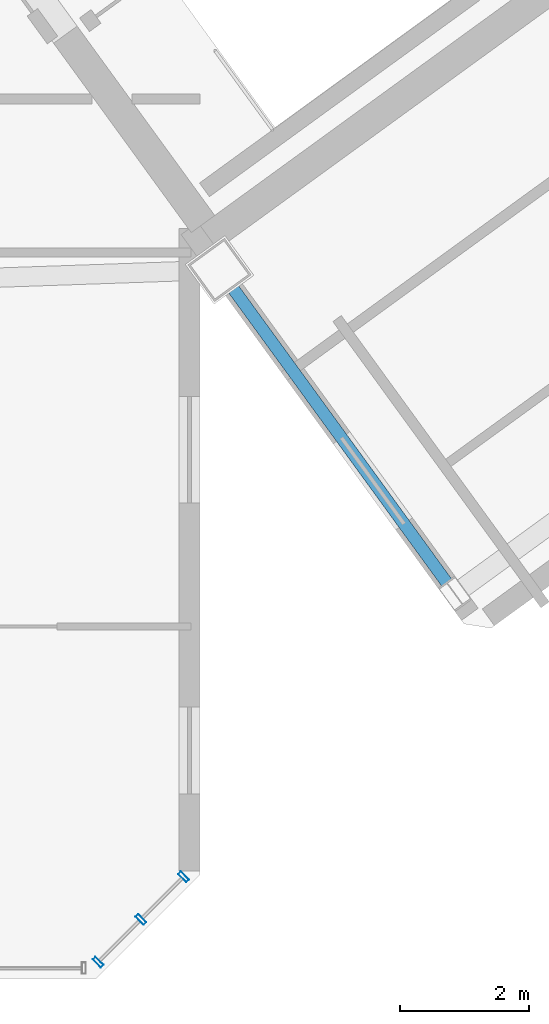
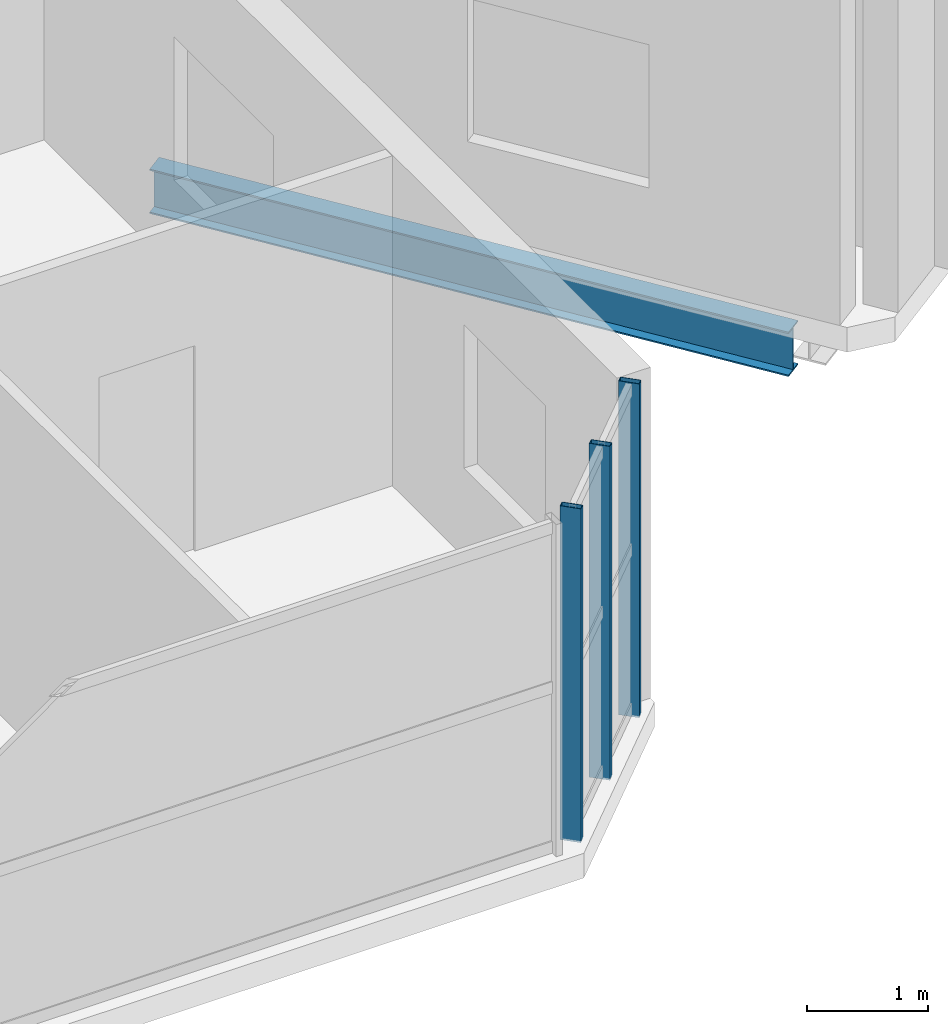
# One storey, part 10 of 25: 3 members, 1 beam, 1 element without a shape of its own.
"""IFC4 building model written with IfcOpenShell, lengths in metres."""

from ifc_helpers import new_model, si_unit, direction, frame, origin, origin_2d, place, context, subcontext, project, spatial, hollow_rectangle, i_section, extrude, source, transform, mapped, material, material_profile, profile_set, type_object, element, aggregate, save


model = new_model("IFC4")

# Units and contexts
model_context = context("Model", 3, precision=1e-05, world=origin(), true_north=direction((0.0, 1.0)))
body_context = subcontext(model_context, "Body", "Model", "MODEL_VIEW")
ifc_project = project(units=[si_unit("LENGTHUNIT", "METRE"), si_unit("AREAUNIT", "SQUARE_METRE"), si_unit("VOLUMEUNIT", "CUBIC_METRE"), si_unit("PLANEANGLEUNIT", "RADIAN"), si_unit("MASSUNIT", "GRAM", prefix="KILO")], contexts=[model_context])

# Site, building, storey
site_placement = place(None, origin())
site = spatial("IfcSite", under=ifc_project, at=site_placement, CompositionType="ELEMENT")
building_placement = place(site_placement, origin())
building = spatial("IfcBuilding", under=site, at=building_placement, Name="Tlacorven Tower", CompositionType="ELEMENT")
storey_placement = place(building_placement, frame((0.0, 0.0, 259.199951171875)))
storey = spatial("IfcBuildingStorey", under=building, at=storey_placement, Name="L65", CompositionType="ELEMENT", Elevation=259.199951171875)

# Beam
ifc_material_1 = material(Name="Steel S355J2", Category="steel")
ifc_material_profile_1 = material_profile(ifc_material_1, i_section(OverallWidth=0.18994140625, OverallDepth=0.449951171875, WebThickness=0.009521484375, FlangeThickness=0.0146484375, at=origin_2d()), Name="IPE 450")
ifc_profile_set_1 = profile_set([ifc_material_profile_1], Name="Steel S355J2")
beam_type = type_object("IfcBeamType", Name="BM-TWR-450", PredefinedType="BEAM", material=ifc_profile_set_1)
shared_shape_1 = source(origin(), body_context, "Body", "SweptSolid", [
    extrude(i_section(OverallWidth=0.18994140625, OverallDepth=0.449951171875, WebThickness=0.009521484375, FlangeThickness=0.0146484375, at=origin_2d()), origin(), (0.0, 0.0, 1.0), 5.800048828125),
])
beam_placement = place(storey_placement, frame((56.291015625, 7.83837890625, -0.474853515625), z_axis=(-0.587781191743, 0.809019944521, 0.0), x_axis=(-0.809019944521, -0.587781191743, 0.0)))
element("IfcBeam", 1, at=beam_placement, inside=storey, type_object=beam_type, Name="L65 beam BM-L65-ET1-1", PredefinedType="BEAM", context=body_context, shape_type="MappedRepresentation", body=[
    mapped(shared_shape_1, transform((0.0, 0.0, 0.0), scale=1.0)),
])

# Curtain wall, members
ifc_material_2 = material(Name="Dark solar low-E double glazing in aluminium frame", Category="aluminium")
curtain_wall_type = type_object("IfcCurtainWallType", Name="CW-TWR-HIGH", PredefinedType="USERDEFINED", material=ifc_material_2)
curtain_wall_placement = place(storey_placement, origin())
curtain_wall = element("IfcCurtainWall", 2, at=curtain_wall_placement, inside=storey, type_object=curtain_wall_type, Name="L65 CW-TWR-HIGH Curtain Wall 302", ObjectType="UNITISED CURTAIN WALL", PredefinedType="USERDEFINED")
ifc_material_3 = material(Name="Aluminium 6063-T6 anodised", Category="aluminium")
ifc_material_profile_2 = material_profile(ifc_material_3, hollow_rectangle(XDim=0.06005859375, YDim=0.179931640625, WallThickness=0.00390625, at=origin_2d()), Name="ALU MULLION 60X180")
ifc_profile_set_2 = profile_set([ifc_material_profile_2], Name="Aluminium 6063-T6 anodised")
member_type = type_object("IfcMemberType", Name="CWM-03", PredefinedType="MULLION", material=ifc_profile_set_2)
shared_shape_2 = source(origin(), body_context, "Body", "SweptSolid", [
    extrude(hollow_rectangle(XDim=0.06005859375, YDim=0.179931640625, WallThickness=0.00390625, at=origin_2d()), origin(), (0.0, 0.0, 1.0), 3.380126953125),
])
member_1_placement = place(storey_placement, frame((52.148193359375, 3.374267578125, -0.02001953125), z_axis=(0.0, 0.0, 1.0), x_axis=(-0.707106781187, -0.707106781187, 0.0)))
member_1 = element("IfcMember", 3, at=member_1_placement, type_object=member_type, Name="CW-L65-302 Mullion 1", PredefinedType="MULLION", context=body_context, shape_type="MappedRepresentation", body=[
    mapped(shared_shape_2, transform((0.0, 0.0, 0.0), scale=1.0)),
])
member_2_placement = place(storey_placement, frame((51.48681640625, 2.713134765625, -0.02001953125), z_axis=(0.0, 0.0, 1.0), x_axis=(-0.707106781187, -0.707106781187, 0.0)))
member_2 = element("IfcMember", 4, at=member_2_placement, type_object=member_type, Name="CW-L65-302 Mullion 2", PredefinedType="MULLION", context=body_context, shape_type="MappedRepresentation", body=[
    mapped(shared_shape_2, transform((0.0, 0.0, 0.0), scale=1.0)),
])
member_3_placement = place(storey_placement, frame((50.82568359375, 2.052001953125, -0.02001953125), z_axis=(0.0, 0.0, 1.0), x_axis=(-0.707106781187, -0.707106781187, 0.0)))
member_3 = element("IfcMember", 5, at=member_3_placement, type_object=member_type, Name="CW-L65-302 Mullion 3", PredefinedType="MULLION", context=body_context, shape_type="MappedRepresentation", body=[
    mapped(shared_shape_2, transform((0.0, 0.0, 0.0), scale=1.0)),
])
aggregate(curtain_wall, [member_1, member_2, member_3])

save(model, "model.ifc")
